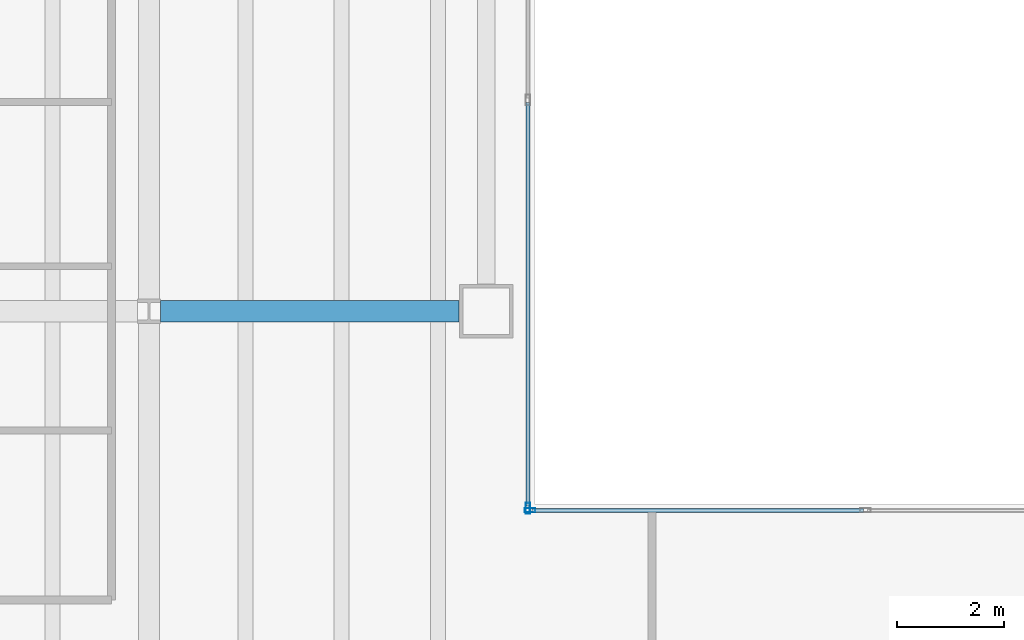
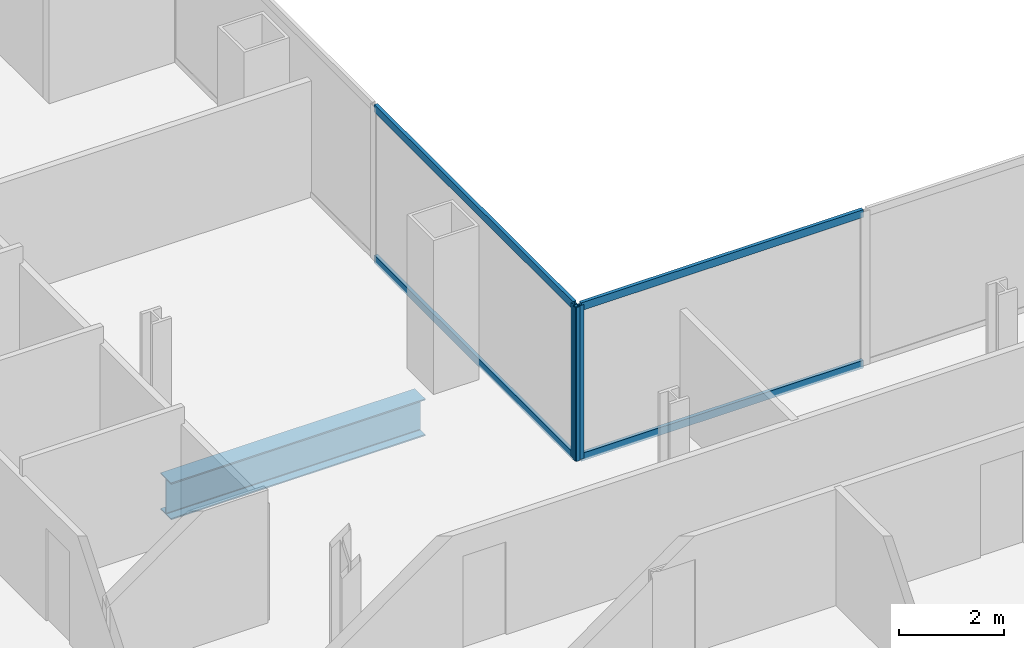
# One storey, part 6 of 23: 6 members, 1 beam, 2 elements without a shape of their own.
"""IFC4 building model written with IfcOpenShell, lengths in metres."""

from ifc_helpers import new_model, si_unit, direction, frame, origin, origin_2d, place, context, subcontext, project, spatial, hollow_rectangle, i_section, extrude, material, material_profile, profile_set, type_object, element, aggregate, save


model = new_model("IFC4")

# Units and contexts
model_context = context("Model", 3, precision=1e-05, world=origin(), true_north=direction((0.0, 1.0)))
body_context = subcontext(model_context, "Body", "Model", "MODEL_VIEW")
ifc_project = project(units=[si_unit("LENGTHUNIT", "METRE"), si_unit("AREAUNIT", "SQUARE_METRE"), si_unit("VOLUMEUNIT", "CUBIC_METRE"), si_unit("PLANEANGLEUNIT", "RADIAN"), si_unit("MASSUNIT", "GRAM", prefix="KILO")], contexts=[model_context])

# Site, building, storey
site_placement = place(None, origin())
site = spatial("IfcSite", under=ifc_project, at=site_placement, CompositionType="ELEMENT")
building_placement = place(site_placement, origin())
building = spatial("IfcBuilding", under=site, at=building_placement, Name="Cobrela Telecom Tower", CompositionType="ELEMENT")
storey_placement = place(building_placement, frame((0.0, 0.0, 54.25)))
storey = spatial("IfcBuildingStorey", under=building, at=storey_placement, Name="L13", CompositionType="ELEMENT", Elevation=54.25)

# Beam
ifc_material_1 = material(Name="Steel ASTM A992 Grade 50", Category="steel")
ifc_material_profile_1 = material_profile(ifc_material_1, i_section(OverallWidth=0.39892578125, OverallDepth=0.85595703125, WebThickness=0.018310546875, FlangeThickness=0.029296875, FilletRadius=0.02001953125, at=origin_2d()), Name="W33X201")
ifc_profile_set_1 = profile_set([ifc_material_profile_1], Name="Steel ASTM A992 Grade 50")
beam_type = type_object("IfcBeamType", Name="BM-GIRD-03", PredefinedType="USERDEFINED", material=ifc_profile_set_1)
beam_placement = place(storey_placement, frame((21.81591796875, 28.800048828125, -0.7080078125), z_axis=(1.0, 0.0, 0.0), x_axis=(0.0, 1.0, 0.0)))
element("IfcBeam", 1, at=beam_placement, inside=storey, type_object=beam_type, Name="L13 Primary Girder X24", ObjectType="GIRDER", PredefinedType="USERDEFINED", context=body_context, shape_type="SweptSolid", body=[
    extrude(i_section(OverallWidth=0.39892578125, OverallDepth=0.85595703125, WebThickness=0.018310546875, FlangeThickness=0.029296875, FilletRadius=0.02001953125, at=origin_2d()), origin(), (0.0, 0.0, 1.0), 5.5791015625),
])

# Curtain wall, member
ifc_material_2 = material(Name="Anodized Bronze Aluminium 6063-T6", Category="aluminium")
curtain_wall_type = type_object("IfcCurtainWallType", Name="CW-SYS-DATA", PredefinedType="USERDEFINED", material=ifc_material_2)
curtain_wall_1_placement = place(storey_placement, origin())
curtain_wall_1 = element("IfcCurtainWall", 2, at=curtain_wall_1_placement, inside=storey, type_object=curtain_wall_type, Name="L13 Unitised Bronze Curtain Wall 10", ObjectType="UNITISED CURTAIN WALL", PredefinedType="USERDEFINED")
ifc_material_profile_2 = material_profile(ifc_material_2, hollow_rectangle(XDim=0.080078125, YDim=0.199951171875, WallThickness=0.00390625, at=origin_2d()), Name="ALU 80x200x4")
ifc_profile_set_2 = profile_set([ifc_material_profile_2], Name="Anodized Bronze Aluminium 6063-T6")
member_type_1 = type_object("IfcMemberType", Name="CW-SYS-DATA-MUL", PredefinedType="MULLION", material=ifc_profile_set_2)
member_1_placement = place(storey_placement, frame((28.679931640625, 25.1201171875, 0.0), z_axis=(0.0, 0.0, 1.0), x_axis=(1.0, 0.0, 0.0)))
member_1 = element("IfcMember", 3, at=member_1_placement, type_object=member_type_1, Name="CW-DATA mullion 3", PredefinedType="MULLION", context=body_context, shape_type="SweptSolid", body=[
    extrude(hollow_rectangle(XDim=0.080078125, YDim=0.199951171875, WallThickness=0.00390625, at=origin_2d()), origin(), (0.0, 0.0, 1.0), 3.570068359375),
])

curtain_wall_2_placement = place(storey_placement, origin())
curtain_wall_2 = element("IfcCurtainWall", 4, at=curtain_wall_2_placement, inside=storey, type_object=curtain_wall_type, Name="L13 Unitised Bronze Curtain Wall 11", ObjectType="UNITISED CURTAIN WALL", PredefinedType="USERDEFINED")
member_2_placement = place(storey_placement, frame((28.719970703125, 25.080078125, 0.0), z_axis=(0.0, 0.0, 1.0), x_axis=(0.0, 1.0, 0.0)))
member_2 = element("IfcMember", 5, at=member_2_placement, type_object=member_type_1, Name="CW-DATA mullion 1", PredefinedType="MULLION", context=body_context, shape_type="SweptSolid", body=[
    extrude(hollow_rectangle(XDim=0.080078125, YDim=0.199951171875, WallThickness=0.00390625, at=origin_2d()), origin(), (0.0, 0.0, 1.0), 3.570068359375),
])

# Member
ifc_material_profile_3 = material_profile(ifc_material_2, hollow_rectangle(XDim=0.074951171875, YDim=0.179931640625, WallThickness=0.00390625, at=origin_2d()), Name="ALU 75x180x4")
ifc_profile_set_3 = profile_set([ifc_material_profile_3], Name="Anodized Bronze Aluminium 6063-T6")
member_type_2 = type_object("IfcMemberType", Name="CW-SYS-DATA-TRN", PredefinedType="USERDEFINED", material=ifc_profile_set_3)
member_3_placement = place(storey_placement, frame((28.679931640625, 32.705078125, 0.03759765625), z_axis=(0.0, -1.0, 0.0), x_axis=(1.0, 0.0, 0.0)))
member_3 = element("IfcMember", 6, at=member_3_placement, type_object=member_type_2, Name="CW-DATA transom 2.1", ObjectType="TRANSOM", PredefinedType="USERDEFINED", context=body_context, shape_type="SweptSolid", body=[
    extrude(hollow_rectangle(XDim=0.074951171875, YDim=0.179931640625, WallThickness=0.00390625, at=origin_2d()), origin(), (0.0, 0.0, 1.0), 7.545166015625),
])

member_4_placement = place(storey_placement, frame((28.679931640625, 32.705078125, 3.532470703125), z_axis=(0.0, -1.0, 0.0), x_axis=(1.0, 0.0, 0.0)))
member_4 = element("IfcMember", 7, at=member_4_placement, type_object=member_type_2, Name="CW-DATA transom 2.2", ObjectType="TRANSOM", PredefinedType="USERDEFINED", context=body_context, shape_type="SweptSolid", body=[
    extrude(hollow_rectangle(XDim=0.074951171875, YDim=0.179931640625, WallThickness=0.00390625, at=origin_2d()), origin(), (0.0, 0.0, 1.0), 7.545166015625),
])

aggregate(curtain_wall_1, [member_1, member_3, member_4])

member_5_placement = place(storey_placement, frame((28.760009765625, 25.080078125, 0.03759765625), z_axis=(1.0, 0.0, 0.0), x_axis=(0.0, 1.0, 0.0)))
member_5 = element("IfcMember", 8, at=member_5_placement, type_object=member_type_2, Name="CW-DATA transom 1.1", ObjectType="TRANSOM", PredefinedType="USERDEFINED", context=body_context, shape_type="SweptSolid", body=[
    extrude(hollow_rectangle(XDim=0.074951171875, YDim=0.179931640625, WallThickness=0.00390625, at=origin_2d()), origin(), (0.0, 0.0, 1.0), 6.18994140625),
])

member_6_placement = place(storey_placement, frame((28.760009765625, 25.080078125, 3.532470703125), z_axis=(1.0, 0.0, 0.0), x_axis=(0.0, 1.0, 0.0)))
member_6 = element("IfcMember", 9, at=member_6_placement, type_object=member_type_2, Name="CW-DATA transom 1.2", ObjectType="TRANSOM", PredefinedType="USERDEFINED", context=body_context, shape_type="SweptSolid", body=[
    extrude(hollow_rectangle(XDim=0.074951171875, YDim=0.179931640625, WallThickness=0.00390625, at=origin_2d()), origin(), (0.0, 0.0, 1.0), 6.18994140625),
])

aggregate(curtain_wall_2, [member_2, member_5, member_6])

save(model, "model.ifc")
